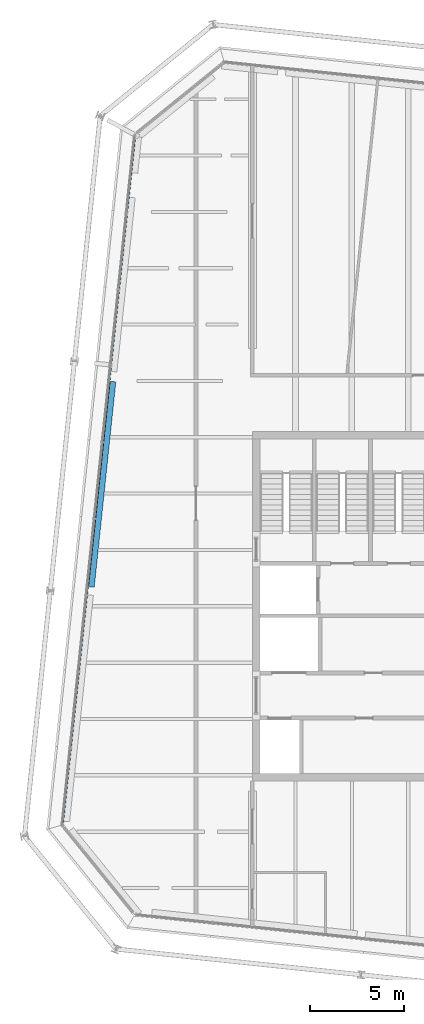
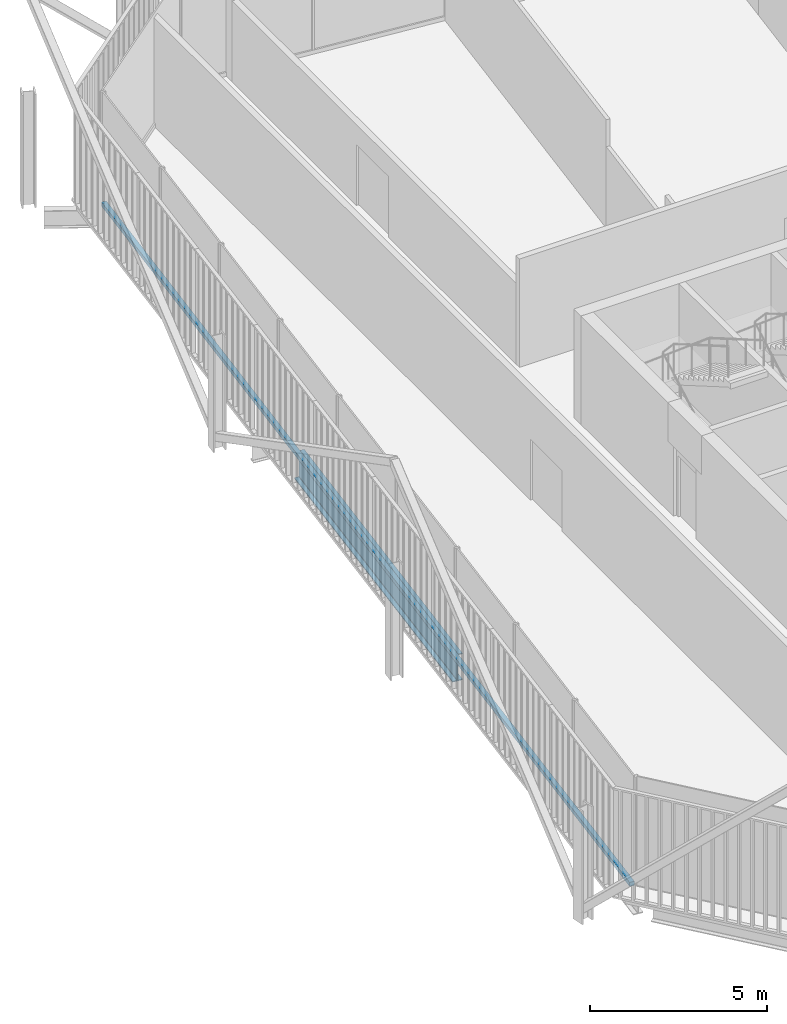
# One storey, part 7 of 21: 1 beam, 1 member, 1 element without a shape of its own.
"""IFC4 building model written with IfcOpenShell, lengths in metres."""

from ifc_helpers import new_model, si_unit, direction, frame, origin, origin_2d, place, context, subcontext, project, spatial, rectangle, i_section, extrude, material, layer, layer_set, material_profile, profile_set, type_object, element, aggregate, save


model = new_model("IFC4")

# Units and contexts
model_context = context("Model", 3, precision=1e-05, world=origin(), true_north=direction((0.0, 1.0)))
body_context = subcontext(model_context, "Body", "Model", "MODEL_VIEW")
ifc_project = project(units=[si_unit("LENGTHUNIT", "METRE"), si_unit("AREAUNIT", "SQUARE_METRE"), si_unit("VOLUMEUNIT", "CUBIC_METRE"), si_unit("PLANEANGLEUNIT", "RADIAN"), si_unit("MASSUNIT", "GRAM", prefix="KILO")], contexts=[model_context])

# Site, building, storey
site_placement = place(None, origin())
site = spatial("IfcSite", under=ifc_project, at=site_placement, CompositionType="ELEMENT")
building_placement = place(site_placement, origin())
building = spatial("IfcBuilding", under=site, at=building_placement, Name="Millrace Tower", CompositionType="ELEMENT")
storey_placement = place(building_placement, frame((0.0, 0.0, 276.0)))
storey = spatial("IfcBuildingStorey", under=building, at=storey_placement, Name="L63", CompositionType="ELEMENT", Elevation=276.0)

# Curtain wall, member
ifc_material_1 = material(Name="Aluminium and glass", Category="aluminium")
ifc_layer = layer(ifc_material_1, 0.14990234375)
ifc_layer_set = layer_set([ifc_layer], Name="Aluminium and glass")
curtain_wall_type = type_object("IfcCurtainWallType", Name="CW-1 office vision curtain wall", PredefinedType="NOTDEFINED", material=ifc_layer_set)
curtain_wall_placement = place(storey_placement, origin())
curtain_wall = element("IfcCurtainWall", 1, at=curtain_wall_placement, inside=storey, type_object=curtain_wall_type, Name="Curtain wall E-F08 L63", PredefinedType="NOTDEFINED")
ifc_material_2 = material(Name="Aluminium", Category="aluminium")
ifc_material_profile_1 = material_profile(ifc_material_2, rectangle(XDim=0.14990234375, YDim=0.139892578125, at=origin_2d()))
ifc_profile_set_1 = profile_set([ifc_material_profile_1], Name="Aluminium")
member_type = type_object("IfcMemberType", Name="CW-1 office vision curtain wall transom", PredefinedType="USERDEFINED", material=ifc_profile_set_1)
member_placement = place(storey_placement, frame((-20.581787109375, 24.9853515625, 0.070068359375), z_axis=(-0.104527916025, -0.994521952886, 0.0), x_axis=(0.994521952886, -0.104527916025, 0.0)))
member = element("IfcMember", 2, at=member_placement, type_object=member_type, Name="CW1 transom E-F08.1", ObjectType="TRANSOM", PredefinedType="USERDEFINED", context=body_context, shape_type="SweptSolid", body=[
    extrude(rectangle(XDim=0.14990234375, YDim=0.139892578125, at=origin_2d()), origin(), (0.0, 0.0, 1.0), 36.699951171875),
])
aggregate(curtain_wall, [member])

# Beam
ifc_material_3 = material(Name="Steel ASTM A992 Grade 50", Category="steel")
ifc_material_profile_2 = material_profile(ifc_material_3, i_section(OverallWidth=0.307373046875, OverallDepth=0.927001953125, WebThickness=0.01953125, FlangeThickness=0.031982421875, FilletRadius=0.01904296875, at=origin_2d()))
ifc_profile_set_2 = profile_set([ifc_material_profile_2], Name="Steel ASTM A992 Grade 50")
beam_type = type_object("IfcBeamType", Name="Ring beam short span W36x194", PredefinedType="SPANDREL", material=ifc_profile_set_2)
beam_placement = place(storey_placement, frame((-22.869384765625, 1.032958984375, -0.62353515625), z_axis=(0.104521800028, 0.99452259568, 0.0), x_axis=(-0.99452259568, 0.104521800028, 0.0)))
element("IfcBeam", 3, at=beam_placement, inside=storey, type_object=beam_type, Name="RNG-E-L63-S1-02", PredefinedType="SPANDREL", context=body_context, shape_type="SweptSolid", body=[
    extrude(i_section(OverallWidth=0.307373046875, OverallDepth=0.927001953125, WebThickness=0.01953125, FlangeThickness=0.031982421875, FilletRadius=0.01904296875, at=origin_2d()), origin(), (0.0, 0.0, 1.0), 10.99462890625),
])

save(model, "model.ifc")
